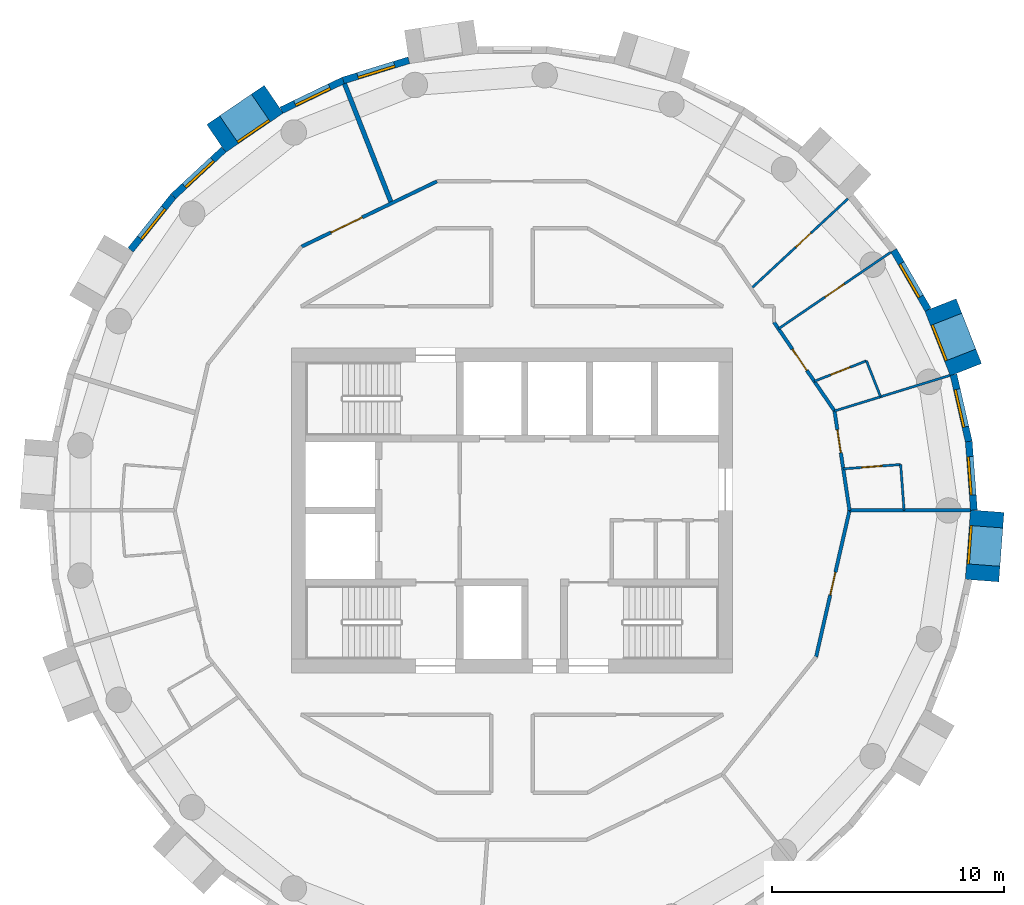
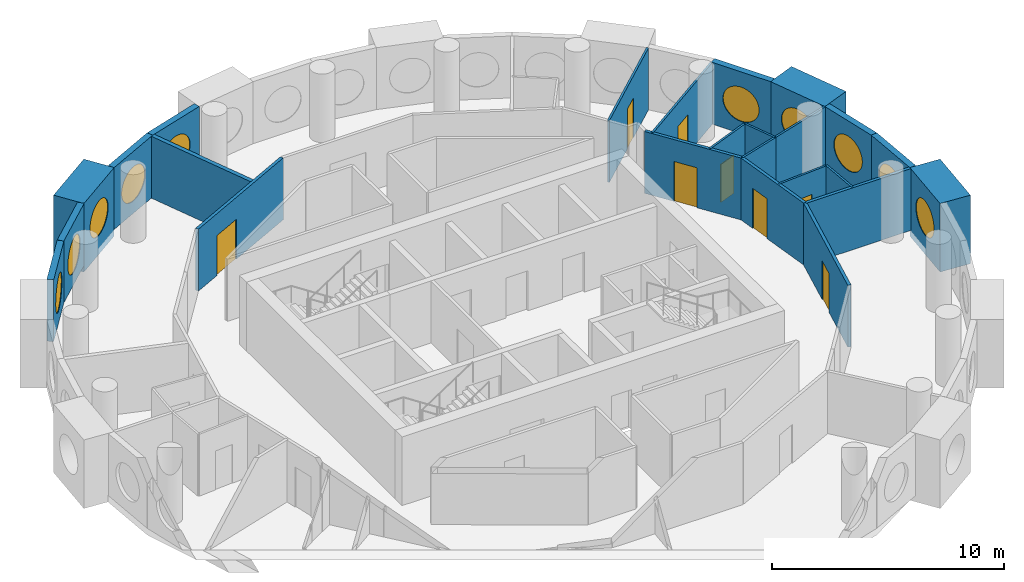
# One storey, part 8 of 11: 24 walls, 10 windows, 8 doors, 18 openings.
"""IFC4 building model written with IfcOpenShell, lengths in metres."""

from ifc_helpers import new_model, si_unit, direction, frame, frame_2d, origin, origin_2d, place, context, subcontext, project, spatial, rectangle, circle, extrude, material, layer, layer_set, type_object, element, fill, save


model = new_model("IFC4")

# Units and contexts
model_context = context("Model", 3, precision=1e-05, world=origin(), true_north=direction((0.0, 1.0)))
body_context = subcontext(model_context, "Body", "Model", "MODEL_VIEW")
ifc_project = project(units=[si_unit("LENGTHUNIT", "METRE"), si_unit("AREAUNIT", "SQUARE_METRE"), si_unit("VOLUMEUNIT", "CUBIC_METRE"), si_unit("PLANEANGLEUNIT", "RADIAN"), si_unit("MASSUNIT", "GRAM", prefix="KILO")], contexts=[model_context])

# Site, building, storey
site_placement = place(None, origin())
site = spatial("IfcSite", under=ifc_project, at=site_placement, CompositionType="ELEMENT")
building_placement = place(site_placement, origin())
building = spatial("IfcBuilding", under=site, at=building_placement, Name="Tracery Tower", CompositionType="ELEMENT")
storey_placement = place(building_placement, frame((0.0, 0.0, 238.199951171875)))
storey = spatial("IfcBuildingStorey", under=building, at=storey_placement, Name="L61", CompositionType="ELEMENT", Elevation=238.199951171875)

# Wall, opening, window
ifc_material_1 = material(Name="Precast concrete C50/60", Category="concrete")
ifc_layer_1 = layer(ifc_material_1, 1.449951171875)
ifc_layer_set_1 = layer_set([ifc_layer_1], Name="Deep-set bay unit 3000 x 3600, slab edge 350")
wall_type_1 = type_object("IfcWallType", Name="Deep-set bay unit 3000 x 3600, slab edge 350", PredefinedType="ELEMENTEDWALL", material=ifc_layer_set_1)
wall_1_placement = place(storey_placement, frame((19.576171875, 6.071533203125, -0.349853515625), z_axis=(0.0, 0.0, 1.0), x_axis=(-0.36537792632, 0.93085926485, 0.0)))
wall_1 = element("IfcWall", 1, at=wall_1_placement, inside=storey, type_object=wall_type_1, Name="Deep-set bay unit 3 at L61", PredefinedType="ELEMENTEDWALL", context=body_context, shape_type="SweptSolid", body=[
    extrude(rectangle(XDim=3.000244140625, YDim=1.449951171875, at=frame_2d((1.5, 0.0))), origin(), (0.0, 0.0, 1.0), 3.599853515625),
])
opening_1_placement = place(wall_1_placement, frame((1.5, 0.0, 1.89990234375)))
opening_1 = element("IfcOpeningElement", 2, at=opening_1_placement, cuts=wall_1, Name="Opening WN1", PredefinedType="OPENING", context=body_context, shape_type="SweptSolid", body=[
    extrude(circle(Radius=0.9000244140625, at=origin_2d()), frame((0.0, 0.73486328125, 0.0), z_axis=(0.0, -1.0, 0.0), x_axis=(1.0, 0.0, 0.0)), (0.0, 0.0, 1.0), 1.469970703125),
])
ifc_material_2 = material(Name="Aluminium frame with tinted double glazing", Category="aluminium")
window_type = type_object("IfcWindowType", Name="Round window 1800", PartitioningType="SINGLE_PANEL", PredefinedType="WINDOW", material=ifc_material_2)
window_1_placement = place(opening_1_placement, origin())
window_1 = element("IfcWindow", 3, at=window_1_placement, inside=storey, type_object=window_type, Name="Round window 3 at L61", OverallHeight=1.800048828125, OverallWidth=1.800048828125, PartitioningType="SINGLE_PANEL", PredefinedType="WINDOW", context=body_context, shape_type="SweptSolid", body=[
    extrude(circle(Radius=0.9000244140625, at=origin_2d()), frame((0.0, 0.69482421875, 0.0), z_axis=(0.0, -1.0, 0.0), x_axis=(1.0, 0.0, 0.0)), (0.0, 0.0, 1.0), 0.10009765625),
])
fill(opening_1, window_1)

wall_2_placement = place(storey_placement, frame((-10.275390625, 17.734130859375, -0.349853515625), z_axis=(0.0, 0.0, 1.0), x_axis=(-0.826246281157, -0.563309047392, 0.0)))
wall_2 = element("IfcWall", 4, at=wall_2_placement, inside=storey, type_object=wall_type_1, Name="Deep-set bay unit 15 at L61", PredefinedType="ELEMENTEDWALL", context=body_context, shape_type="SweptSolid", body=[
    extrude(rectangle(XDim=3.0, YDim=1.449951171875, at=frame_2d((1.5, 0.0))), origin(), (0.0, 0.0, 1.0), 3.599853515625),
])
opening_2_placement = place(wall_2_placement, frame((1.5, 0.0, 1.89990234375)))
opening_2 = element("IfcOpeningElement", 5, at=opening_2_placement, cuts=wall_2, Name="Opening WN1", PredefinedType="OPENING", context=body_context, shape_type="SweptSolid", body=[
    extrude(circle(Radius=0.9000244140625, at=origin_2d()), frame((0.0, 0.73486328125, 0.0), z_axis=(0.0, -1.0, 0.0), x_axis=(1.0, 0.0, 0.0)), (0.0, 0.0, 1.0), 1.469970703125),
])
window_2_placement = place(opening_2_placement, origin())
window_2 = element("IfcWindow", 6, at=window_2_placement, inside=storey, type_object=window_type, Name="Round window 15 at L61", OverallHeight=1.800048828125, OverallWidth=1.800048828125, PartitioningType="SINGLE_PANEL", PredefinedType="WINDOW", context=body_context, shape_type="SweptSolid", body=[
    extrude(circle(Radius=0.9000244140625, at=origin_2d()), frame((0.0, 0.69482421875, 0.0), z_axis=(0.0, -1.0, 0.0), x_axis=(1.0, 0.0, 0.0)), (0.0, 0.0, 1.0), 0.10009765625),
])
fill(opening_2, window_2)

wall_3_placement = place(storey_placement, frame((20.271728515625, -3.0234375, -0.349853515625), z_axis=(0.0, 0.0, 1.0), x_axis=(0.074785902127, 0.997199613339, 0.0)))
wall_3 = element("IfcWall", 7, at=wall_3_placement, inside=storey, type_object=wall_type_1, Name="Deep-set bay unit 42 at L61", PredefinedType="ELEMENTEDWALL", context=body_context, shape_type="SweptSolid", body=[
    extrude(rectangle(XDim=3.0, YDim=1.449951171875, at=frame_2d((1.5, 0.0))), origin(), (0.0, 0.0, 1.0), 3.599853515625),
])
opening_3_placement = place(wall_3_placement, frame((1.5, 0.0, 1.89990234375)))
opening_3 = element("IfcOpeningElement", 8, at=opening_3_placement, cuts=wall_3, Name="Opening WN1", PredefinedType="OPENING", context=body_context, shape_type="SweptSolid", body=[
    extrude(circle(Radius=0.9000244140625, at=origin_2d()), frame((0.0, 0.73486328125, 0.0), z_axis=(0.0, -1.0, 0.0), x_axis=(1.0, 0.0, 0.0)), (0.0, 0.0, 1.0), 1.469970703125),
])
window_3_placement = place(opening_3_placement, origin())
window_3 = element("IfcWindow", 9, at=window_3_placement, inside=storey, type_object=window_type, Name="Round window 42 at L61", OverallHeight=1.800048828125, OverallWidth=1.800048828125, PartitioningType="SINGLE_PANEL", PredefinedType="WINDOW", context=body_context, shape_type="SweptSolid", body=[
    extrude(circle(Radius=0.9000244140625, at=origin_2d()), frame((0.0, 0.69482421875, 0.0), z_axis=(0.0, -1.0, 0.0), x_axis=(1.0, 0.0, 0.0)), (0.0, 0.0, 1.0), 0.10009765625),
])
fill(opening_3, window_3)

ifc_material_3 = material(Name="Precast concrete C50/60", Category="concrete")
ifc_layer_2 = layer(ifc_material_3, 0.300048828125)
ifc_layer_set_2 = layer_set([ifc_layer_2], Name="Facade panel 3000 x 3250")
wall_type_2 = type_object("IfcWallType", Name="Facade panel 3000 x 3250", PredefinedType="SOLIDWALL", material=ifc_layer_set_2)
wall_4_placement = place(storey_placement, frame((19.920654296875, 0.01513671875, 0.0), z_axis=(0.0, 0.0, 1.0), x_axis=(-0.07474897196, 0.997202382263, 0.0)))
wall_4 = element("IfcWall", 10, at=wall_4_placement, inside=storey, type_object=wall_type_2, Name="Facade panel 1 at L61", PredefinedType="SOLIDWALL", context=body_context, shape_type="SweptSolid", body=[
    extrude(rectangle(XDim=2.96240234375, YDim=0.300048828125, at=frame_2d((1.481201171875, 0.0))), origin(), (0.0, 0.0, 1.0), 3.25),
])
opening_4_placement = place(wall_4_placement, frame((1.48095703125, 0.0, 1.5498046875)))
opening_4 = element("IfcOpeningElement", 11, at=opening_4_placement, cuts=wall_4, Name="Opening WN1", PredefinedType="OPENING", context=body_context, shape_type="SweptSolid", body=[
    extrude(circle(Radius=0.9000244140625, at=origin_2d()), frame((0.0, 0.159912109375, 0.0), z_axis=(0.0, -1.0, 0.0), x_axis=(1.0, 0.0, 0.0)), (0.0, 0.0, 1.0), 0.320068359375),
])
window_4_placement = place(opening_4_placement, origin())
window_4 = element("IfcWindow", 12, at=window_4_placement, inside=storey, type_object=window_type, Name="Round window 1 at L61", OverallHeight=1.800048828125, OverallWidth=1.800048828125, PartitioningType="SINGLE_PANEL", PredefinedType="WINDOW", context=body_context, shape_type="SweptSolid", body=[
    extrude(circle(Radius=0.9000244140625, at=origin_2d()), frame((0.0, 0.1201171875, 0.0), z_axis=(0.0, -1.0, 0.0), x_axis=(1.0, 0.0, 0.0)), (0.0, 0.0, 1.0), 0.10009765625),
])
fill(opening_4, window_4)

wall_5_placement = place(storey_placement, frame((19.69921875, 2.96923828125, 0.0), z_axis=(0.0, 0.0, 1.0), x_axis=(-0.222529389789, 0.974925982155, 0.0)))
wall_5 = element("IfcWall", 13, at=wall_5_placement, inside=storey, type_object=wall_type_2, Name="Facade panel 2 at L61", PredefinedType="SOLIDWALL", context=body_context, shape_type="SweptSolid", body=[
    extrude(rectangle(XDim=2.962158203125, YDim=0.300048828125, at=frame_2d((1.48095703125, 0.0))), origin(), (0.0, 0.0, 1.0), 3.25),
])
opening_5_placement = place(wall_5_placement, frame((1.48095703125, 0.0, 1.5498046875)))
opening_5 = element("IfcOpeningElement", 14, at=opening_5_placement, cuts=wall_5, Name="Opening WN1", PredefinedType="OPENING", context=body_context, shape_type="SweptSolid", body=[
    extrude(circle(Radius=0.9000244140625, at=origin_2d()), frame((0.0, 0.159912109375, 0.0), z_axis=(0.0, -1.0, 0.0), x_axis=(1.0, 0.0, 0.0)), (0.0, 0.0, 1.0), 0.320068359375),
])
window_5_placement = place(opening_5_placement, origin())
window_5 = element("IfcWindow", 15, at=window_5_placement, inside=storey, type_object=window_type, Name="Round window 2 at L61", OverallHeight=1.800048828125, OverallWidth=1.800048828125, PartitioningType="SINGLE_PANEL", PredefinedType="WINDOW", context=body_context, shape_type="SweptSolid", body=[
    extrude(circle(Radius=0.9000244140625, at=origin_2d()), frame((0.0, 0.1201171875, 0.0), z_axis=(0.0, -1.0, 0.0), x_axis=(1.0, 0.0, 0.0)), (0.0, 0.0, 1.0), 0.10009765625),
])
fill(opening_5, window_5)

wall_6_placement = place(storey_placement, frame((17.941162109375, 8.656982421875, 0.0), z_axis=(0.0, 0.0, 1.0), x_axis=(-0.499950756475, 0.86605383268, 0.0)))
wall_6 = element("IfcWall", 16, at=wall_6_placement, inside=storey, type_object=wall_type_2, Name="Facade panel 4 at L61", PredefinedType="SOLIDWALL", context=body_context, shape_type="SweptSolid", body=[
    extrude(rectangle(XDim=2.962158203125, YDim=0.300048828125, at=frame_2d((1.48095703125, 0.0))), origin(), (0.0, 0.0, 1.0), 3.25),
])
opening_6_placement = place(wall_6_placement, frame((1.48095703125, 0.0, 1.5498046875)))
opening_6 = element("IfcOpeningElement", 17, at=opening_6_placement, cuts=wall_6, Name="Opening WN1", PredefinedType="OPENING", context=body_context, shape_type="SweptSolid", body=[
    extrude(circle(Radius=0.9000244140625, at=origin_2d()), frame((0.0, 0.159912109375, 0.0), z_axis=(0.0, -1.0, 0.0), x_axis=(1.0, 0.0, 0.0)), (0.0, 0.0, 1.0), 0.320068359375),
])
window_6_placement = place(opening_6_placement, origin())
window_6 = element("IfcWindow", 18, at=window_6_placement, inside=storey, type_object=window_type, Name="Round window 4 at L61", OverallHeight=1.800048828125, OverallWidth=1.800048828125, PartitioningType="SINGLE_PANEL", PredefinedType="WINDOW", context=body_context, shape_type="SweptSolid", body=[
    extrude(circle(Radius=0.9000244140625, at=origin_2d()), frame((0.0, 0.1201171875, 0.0), z_axis=(0.0, -1.0, 0.0), x_axis=(1.0, 0.0, 0.0)), (0.0, 0.0, 1.0), 0.10009765625),
])
fill(opening_6, window_6)

wall_7_placement = place(storey_placement, frame((-4.447509765625, 19.417724609375, 0.0), z_axis=(0.0, 0.0, 1.0), x_axis=(-0.95558635705, -0.294711238707, 0.0)))
wall_7 = element("IfcWall", 19, at=wall_7_placement, inside=storey, type_object=wall_type_2, Name="Facade panel 13 at L61", PredefinedType="SOLIDWALL", context=body_context, shape_type="SweptSolid", body=[
    extrude(rectangle(XDim=2.96240234375, YDim=0.300048828125, at=frame_2d((1.481201171875, 0.0))), origin(), (0.0, 0.0, 1.0), 3.25),
])
opening_7_placement = place(wall_7_placement, frame((1.48095703125, 0.0, 1.5498046875)))
opening_7 = element("IfcOpeningElement", 20, at=opening_7_placement, cuts=wall_7, Name="Opening WN1", PredefinedType="OPENING", context=body_context, shape_type="SweptSolid", body=[
    extrude(circle(Radius=0.9000244140625, at=origin_2d()), frame((0.0, 0.159912109375, 0.0), z_axis=(0.0, -1.0, 0.0), x_axis=(1.0, 0.0, 0.0)), (0.0, 0.0, 1.0), 0.320068359375),
])
window_7_placement = place(opening_7_placement, origin())
window_7 = element("IfcWindow", 21, at=window_7_placement, inside=storey, type_object=window_type, Name="Round window 13 at L61", OverallHeight=1.800048828125, OverallWidth=1.800048828125, PartitioningType="SINGLE_PANEL", PredefinedType="WINDOW", context=body_context, shape_type="SweptSolid", body=[
    extrude(circle(Radius=0.9000244140625, at=origin_2d()), frame((0.0, 0.1201171875, 0.0), z_axis=(0.0, -1.0, 0.0), x_axis=(1.0, 0.0, 0.0)), (0.0, 0.0, 1.0), 0.10009765625),
])
fill(opening_7, window_7)

wall_8_placement = place(storey_placement, frame((-7.2783203125, 18.544677734375, 0.0), z_axis=(0.0, 0.0, 1.0), x_axis=(-0.900939615635, -0.433944476838, 0.0)))
wall_8 = element("IfcWall", 22, at=wall_8_placement, inside=storey, type_object=wall_type_2, Name="Facade panel 14 at L61", PredefinedType="SOLIDWALL", context=body_context, shape_type="SweptSolid", body=[
    extrude(rectangle(XDim=2.962158203125, YDim=0.300048828125, at=frame_2d((1.48095703125, 0.0))), origin(), (0.0, 0.0, 1.0), 3.25),
])
opening_8_placement = place(wall_8_placement, frame((1.48095703125, 0.0, 1.5498046875)))
opening_8 = element("IfcOpeningElement", 23, at=opening_8_placement, cuts=wall_8, Name="Opening WN1", PredefinedType="OPENING", context=body_context, shape_type="SweptSolid", body=[
    extrude(circle(Radius=0.9000244140625, at=origin_2d()), frame((0.0, 0.159912109375, 0.0), z_axis=(0.0, -1.0, 0.0), x_axis=(1.0, 0.0, 0.0)), (0.0, 0.0, 1.0), 0.320068359375),
])
window_8_placement = place(opening_8_placement, origin())
window_8 = element("IfcWindow", 24, at=window_8_placement, inside=storey, type_object=window_type, Name="Round window 14 at L61", OverallHeight=1.800048828125, OverallWidth=1.800048828125, PartitioningType="SINGLE_PANEL", PredefinedType="WINDOW", context=body_context, shape_type="SweptSolid", body=[
    extrude(circle(Radius=0.9000244140625, at=origin_2d()), frame((0.0, 0.1201171875, 0.0), z_axis=(0.0, -1.0, 0.0), x_axis=(1.0, 0.0, 0.0)), (0.0, 0.0, 1.0), 0.10009765625),
])
fill(opening_8, window_8)

wall_9_placement = place(storey_placement, frame((-12.43212890625, 15.565185546875, 0.0), z_axis=(0.0, 0.0, 1.0), x_axis=(-0.733066412643, -0.680157066165, 0.0)))
wall_9 = element("IfcWall", 25, at=wall_9_placement, inside=storey, type_object=wall_type_2, Name="Facade panel 16 at L61", PredefinedType="SOLIDWALL", context=body_context, shape_type="SweptSolid", body=[
    extrude(rectangle(XDim=2.96240234375, YDim=0.300048828125, at=frame_2d((1.481201171875, 0.0))), origin(), (0.0, 0.0, 1.0), 3.25),
])
opening_9_placement = place(wall_9_placement, frame((1.48095703125, 0.0, 1.5498046875)))
opening_9 = element("IfcOpeningElement", 26, at=opening_9_placement, cuts=wall_9, Name="Opening WN1", PredefinedType="OPENING", context=body_context, shape_type="SweptSolid", body=[
    extrude(circle(Radius=0.9000244140625, at=origin_2d()), frame((0.0, 0.159912109375, 0.0), z_axis=(0.0, -1.0, 0.0), x_axis=(1.0, 0.0, 0.0)), (0.0, 0.0, 1.0), 0.320068359375),
])
window_9_placement = place(opening_9_placement, origin())
window_9 = element("IfcWindow", 27, at=window_9_placement, inside=storey, type_object=window_type, Name="Round window 16 at L61", OverallHeight=1.800048828125, OverallWidth=1.800048828125, PartitioningType="SINGLE_PANEL", PredefinedType="WINDOW", context=body_context, shape_type="SweptSolid", body=[
    extrude(circle(Radius=0.9000244140625, at=origin_2d()), frame((0.0, 0.1201171875, 0.0), z_axis=(0.0, -1.0, 0.0), x_axis=(1.0, 0.0, 0.0)), (0.0, 0.0, 1.0), 0.10009765625),
])
fill(opening_9, window_9)

wall_10_placement = place(storey_placement, frame((-14.603759765625, 13.55029296875, 0.0), z_axis=(0.0, 0.0, 1.0), x_axis=(-0.623498236992, -0.781824755599, 0.0)))
wall_10 = element("IfcWall", 28, at=wall_10_placement, inside=storey, type_object=wall_type_2, Name="Facade panel 17 at L61", PredefinedType="SOLIDWALL", context=body_context, shape_type="SweptSolid", body=[
    extrude(rectangle(XDim=2.962158203125, YDim=0.300048828125, at=frame_2d((1.48095703125, 0.0))), origin(), (0.0, 0.0, 1.0), 3.25),
])
opening_10_placement = place(wall_10_placement, frame((1.48095703125, 0.0, 1.5498046875)))
opening_10 = element("IfcOpeningElement", 29, at=opening_10_placement, cuts=wall_10, Name="Opening WN1", PredefinedType="OPENING", context=body_context, shape_type="SweptSolid", body=[
    extrude(circle(Radius=0.9000244140625, at=origin_2d()), frame((0.0, 0.159912109375, 0.0), z_axis=(0.0, -1.0, 0.0), x_axis=(1.0, 0.0, 0.0)), (0.0, 0.0, 1.0), 0.320068359375),
])
window_10_placement = place(opening_10_placement, origin())
window_10 = element("IfcWindow", 30, at=window_10_placement, inside=storey, type_object=window_type, Name="Round window 17 at L61", OverallHeight=1.800048828125, OverallWidth=1.800048828125, PartitioningType="SINGLE_PANEL", PredefinedType="WINDOW", context=body_context, shape_type="SweptSolid", body=[
    extrude(circle(Radius=0.9000244140625, at=origin_2d()), frame((0.0, 0.1201171875, 0.0), z_axis=(0.0, -1.0, 0.0), x_axis=(1.0, 0.0, 0.0)), (0.0, 0.0, 1.0), 0.10009765625),
])
fill(opening_10, window_10)

# Wall, opening, door
ifc_material_4 = material(Name="Plasterboard on steel studs", Category="steel")
ifc_layer_3 = layer(ifc_material_4, 0.10009765625)
ifc_layer_set_3 = layer_set([ifc_layer_3], Name="Partition 100 stud")
wall_type_3 = type_object("IfcWallType", Name="Partition 100 stud", PredefinedType="PARTITIONING", material=ifc_layer_set_3)
wall_11_placement = place(storey_placement, frame((11.492919921875, 7.8359375, 0.0), z_axis=(0.0, 0.0, 1.0), x_axis=(0.826231748746, 0.563330362544, 0.0)))
wall_11 = element("IfcWall", 31, at=wall_11_placement, inside=storey, type_object=wall_type_3, Name="Stud partition RC1-046", PredefinedType="PARTITIONING", context=body_context, shape_type="SweptSolid", body=[
    extrude(rectangle(XDim=5.861572265625, YDim=0.10009765625, at=frame_2d((2.9306640625, 0.0))), origin(), (0.0, 0.0, 1.0), 3.25),
])
opening_11_placement = place(wall_11_placement, frame((2.430908203125, 0.0, 0.0)))
opening_11 = element("IfcOpeningElement", 32, at=opening_11_placement, cuts=wall_11, Name="Opening RC1-06", PredefinedType="OPENING", context=body_context, shape_type="SweptSolid", body=[
    extrude(rectangle(XDim=1.0, YDim=2.0400390625, at=frame_2d((0.5, 1.02001953125))), frame((0.0, 0.050048828125, 0.0), z_axis=(0.0, -1.0, 0.0), x_axis=(1.0, 0.0, 0.0)), (0.0, 0.0, 1.0), 0.10009765625),
])
ifc_material_5 = material(Name="Timber door leaf", Category="wood")
door_type_1 = type_object("IfcDoorType", Name="Door communal room 1000", OperationType="NOTDEFINED", PredefinedType="DOOR", material=ifc_material_5)
door_1_placement = place(opening_11_placement, origin())
door_1 = element("IfcDoor", 33, at=door_1_placement, inside=storey, type_object=door_type_1, Name="Communal room door RC1-06", OperationType="SINGLE_SWING_RIGHT", OverallHeight=2.0400390625, OverallWidth=1.0, PredefinedType="DOOR", context=body_context, shape_type="SweptSolid", body=[
    extrude(rectangle(XDim=1.0, YDim=2.0400390625, at=frame_2d((0.5, 1.02001953125))), frame((0.0, 0.02490234375, 0.0), z_axis=(0.0, -1.0, 0.0), x_axis=(1.0, 0.0, 0.0)), (0.0, 0.0, 1.0), 0.050048828125),
])
fill(opening_11, door_1)

# Wall
wall_12_placement = place(storey_placement, frame((15.89599609375, 4.904052734375, 0.0), z_axis=(0.0, 0.0, 1.0), x_axis=(0.955630770746, 0.294567190983, 0.0)))
element("IfcWall", 34, at=wall_12_placement, inside=storey, type_object=wall_type_3, Name="Stud partition RC1-049", PredefinedType="PARTITIONING", context=body_context, shape_type="SweptSolid", body=[
    extrude(rectangle(XDim=3.13623046875, YDim=0.10009765625, at=frame_2d((1.568115234375, 0.0))), origin(), (0.0, 0.0, 1.0), 3.25),
])

# Wall, opening, door
wall_13_placement = place(storey_placement, frame((10.31201171875, 9.568115234375, 0.0), z_axis=(0.0, 0.0, 1.0), x_axis=(0.733002312561, 0.680226146057, 0.0)))
wall_13 = element("IfcWall", 35, at=wall_13_placement, inside=storey, type_object=wall_type_3, Name="Stud partition RC1-050", PredefinedType="PARTITIONING", context=body_context, shape_type="SweptSolid", body=[
    extrude(rectangle(XDim=5.703857421875, YDim=0.10009765625, at=frame_2d((2.85205078125, 0.0))), origin(), (0.0, 0.0, 1.0), 3.25),
])
opening_12_placement = place(wall_13_placement, frame((2.6220703125, 0.0, 0.0)))
opening_12 = element("IfcOpeningElement", 36, at=opening_12_placement, cuts=wall_13, Name="Opening RC1-10", PredefinedType="OPENING", context=body_context, shape_type="SweptSolid", body=[
    extrude(rectangle(XDim=0.89990234375, YDim=2.10009765625, at=frame_2d((0.449951171875, 1.050048828125))), frame((0.0, 0.050048828125, 0.0), z_axis=(0.0, -1.0, 0.0), x_axis=(1.0, 0.0, 0.0)), (0.0, 0.0, 1.0), 0.10009765625),
])
ifc_material_6 = material(Name="Timber door leaf", Category="wood")
door_type_2 = type_object("IfcDoorType", Name="Door bedroom 900", OperationType="NOTDEFINED", PredefinedType="DOOR", material=ifc_material_6)
door_2_placement = place(opening_12_placement, origin())
door_2 = element("IfcDoor", 37, at=door_2_placement, inside=storey, type_object=door_type_2, Name="Bedroom door RC1-10", OperationType="SINGLE_SWING_RIGHT", OverallHeight=2.10009765625, OverallWidth=0.89990234375, PredefinedType="DOOR", context=body_context, shape_type="SweptSolid", body=[
    extrude(rectangle(XDim=0.89990234375, YDim=2.10009765625, at=frame_2d((0.449951171875, 1.050048828125))), frame((0.0, 0.02490234375, 0.0), z_axis=(0.0, -1.0, 0.0), x_axis=(1.0, 0.0, 0.0)), (0.0, 0.0, 1.0), 0.050048828125),
])
fill(opening_12, door_2)

# Wall
ifc_material_7 = material(Name="Plasterboard on steel studs", Category="steel")
ifc_layer_4 = layer(ifc_material_7, 0.10009765625)
ifc_layer_set_4 = layer_set([ifc_layer_4], Name="Partition 100 wet wall")
wall_type_4 = type_object("IfcWallType", Name="Partition 100 wet wall", PredefinedType="PARTITIONING", material=ifc_layer_set_4)
wall_14_placement = place(storey_placement, frame((15.287109375, 6.4541015625, 0.0), z_axis=(0.0, 0.0, 1.0), x_axis=(0.365620622357, -0.930763966056, 0.0)))
element("IfcWall", 38, at=wall_14_placement, inside=storey, type_object=wall_type_4, Name="Wet wall RC1-047", PredefinedType="PARTITIONING", context=body_context, shape_type="SweptSolid", body=[
    extrude(rectangle(XDim=1.665283203125, YDim=0.10009765625, at=frame_2d((0.83251953125, 0.0))), origin(), (0.0, 0.0, 1.0), 3.25),
])

# Wall, opening, door
wall_15_placement = place(storey_placement, frame((13.037109375, 5.571044921875, 0.0), z_axis=(0.0, 0.0, 1.0), x_axis=(0.930874211086, 0.365339846083, 0.0)))
wall_15 = element("IfcWall", 39, at=wall_15_placement, inside=storey, type_object=wall_type_4, Name="Wet wall RC1-048", PredefinedType="PARTITIONING", context=body_context, shape_type="SweptSolid", body=[
    extrude(rectangle(XDim=2.4169921875, YDim=0.10009765625, at=frame_2d((1.20849609375, 0.0))), origin(), (0.0, 0.0, 1.0), 3.25),
])
opening_13_placement = place(wall_15_placement, frame((0.758056640625, 0.0, 0.0)))
opening_13 = element("IfcOpeningElement", 40, at=opening_13_placement, cuts=wall_15, Name="Opening RC1-07", PredefinedType="OPENING", context=body_context, shape_type="SweptSolid", body=[
    extrude(rectangle(XDim=0.89990234375, YDim=2.0, at=frame_2d((0.449951171875, 1.0))), frame((0.0, 0.050048828125, 0.0), z_axis=(0.0, -1.0, 0.0), x_axis=(1.0, 0.0, 0.0)), (0.0, 0.0, 1.0), 0.10009765625),
])
ifc_material_8 = material(Name="Timber door leaf", Category="wood")
door_type_3 = type_object("IfcDoorType", Name="Door shower room 900", OperationType="NOTDEFINED", PredefinedType="DOOR", material=ifc_material_8)
door_3_placement = place(opening_13_placement, origin())
door_3 = element("IfcDoor", 41, at=door_3_placement, inside=storey, type_object=door_type_3, Name="Shower room door RC1-07", OperationType="SINGLE_SWING_RIGHT", OverallHeight=2.0, OverallWidth=0.89990234375, PredefinedType="DOOR", context=body_context, shape_type="SweptSolid", body=[
    extrude(rectangle(XDim=0.89990234375, YDim=2.0, at=frame_2d((0.449951171875, 1.0))), frame((0.0, 0.02490234375, 0.0), z_axis=(0.0, -1.0, 0.0), x_axis=(1.0, 0.0, 0.0)), (0.0, 0.0, 1.0), 0.050048828125),
])
fill(opening_13, door_3)

# Walls
wall_16_placement = place(storey_placement, frame((13.909912109375, 4.291015625, 0.0), z_axis=(0.0, 0.0, 1.0), x_axis=(0.955649377322, 0.294506821014, 0.0)))
element("IfcWall", 42, at=wall_16_placement, inside=storey, type_object=wall_type_4, Name="Wet wall RC1-051", PredefinedType="PARTITIONING", context=body_context, shape_type="SweptSolid", body=[
    extrude(rectangle(XDim=2.078369140625, YDim=0.10009765625, at=frame_2d((1.0390625, 0.0))), origin(), (0.0, 0.0, 1.0), 3.25),
])
wall_17_placement = place(storey_placement, frame((16.761962890625, 1.98095703125, 0.0), z_axis=(0.0, 0.0, 1.0), x_axis=(0.074478298815, -0.997222634624, 0.0)))
element("IfcWall", 43, at=wall_17_placement, inside=storey, type_object=wall_type_4, Name="Wet wall RC1-052", PredefinedType="PARTITIONING", context=body_context, shape_type="SweptSolid", body=[
    extrude(rectangle(XDim=1.986572265625, YDim=0.10009765625, at=frame_2d((0.9931640625, 0.0))), origin(), (0.0, 0.0, 1.0), 3.25),
])

# Wall, opening, door
wall_18_placement = place(storey_placement, frame((14.285888671875, 1.794921875, 0.0), z_axis=(0.0, 0.0, 1.0), x_axis=(0.997189401658, 0.074921940846, 0.0)))
wall_18 = element("IfcWall", 44, at=wall_18_placement, inside=storey, type_object=wall_type_4, Name="Wet wall RC1-053", PredefinedType="PARTITIONING", context=body_context, shape_type="SweptSolid", body=[
    extrude(rectangle(XDim=2.483154296875, YDim=0.10009765625, at=frame_2d((1.24169921875, 0.0))), origin(), (0.0, 0.0, 1.0), 3.25),
])
opening_14_placement = place(wall_18_placement, frame((0.7919921875, 0.0, 0.0)))
opening_14 = element("IfcOpeningElement", 45, at=opening_14_placement, cuts=wall_18, Name="Opening RC1-09", PredefinedType="OPENING", context=body_context, shape_type="SweptSolid", body=[
    extrude(rectangle(XDim=0.89990234375, YDim=2.0400390625, at=frame_2d((0.449951171875, 1.02001953125))), frame((0.0, 0.050048828125, 0.0), z_axis=(0.0, -1.0, 0.0), x_axis=(1.0, 0.0, 0.0)), (0.0, 0.0, 1.0), 0.10009765625),
])
ifc_material_9 = material(Name="Timber door leaf", Category="wood")
door_type_4 = type_object("IfcDoorType", Name="Door en-suite 900", OperationType="NOTDEFINED", PredefinedType="DOOR", material=ifc_material_9)
door_4_placement = place(opening_14_placement, origin())
door_4 = element("IfcDoor", 46, at=door_4_placement, inside=storey, type_object=door_type_4, Name="En-suite door RC1-09", OperationType="SINGLE_SWING_LEFT", OverallHeight=2.0400390625, OverallWidth=0.89990234375, PredefinedType="DOOR", context=body_context, shape_type="SweptSolid", body=[
    extrude(rectangle(XDim=0.89990234375, YDim=2.0400390625, at=frame_2d((0.449951171875, 1.02001953125))), frame((0.0, 0.02490234375, 0.0), z_axis=(0.0, -1.0, 0.0), x_axis=(1.0, 0.0, 0.0)), (0.0, 0.0, 1.0), 0.050048828125),
])
fill(opening_14, door_4)

# Wall
ifc_material_10 = material(Name="Plasterboard on steel studs", Category="steel")
ifc_layer_5 = layer(ifc_material_10, 0.14990234375)
ifc_layer_set_5 = layer_set([ifc_layer_5], Name="Partition 150 acoustic unit wall")
wall_type_5 = type_object("IfcWallType", Name="Partition 150 acoustic unit wall", PredefinedType="PARTITIONING", material=ifc_layer_set_5)
wall_19_placement = place(storey_placement, frame((14.556884765625, 0.0, 0.0), z_axis=(0.0, 0.0, 1.0), x_axis=(1.0, 0.0, 0.0)))
element("IfcWall", 47, at=wall_19_placement, inside=storey, type_object=wall_type_5, Name="Unit wall RC1-054", PredefinedType="PARTITIONING", context=body_context, shape_type="SweptSolid", body=[
    extrude(rectangle(XDim=5.214111328125, YDim=0.14990234375, at=frame_2d((2.60693359375, 0.0))), origin(), (0.0, 0.0, 1.0), 3.25),
])

# Wall, opening, door
ifc_material_11 = material(Name="Plasterboard on steel studs", Category="steel")
ifc_layer_6 = layer(ifc_material_11, 0.14990234375)
ifc_layer_set_6 = layer_set([ifc_layer_6], Name="Partition 150 corridor wall")
wall_type_6 = type_object("IfcWallType", Name="Partition 150 corridor wall", PredefinedType="PARTITIONING", material=ifc_layer_set_6)
wall_20_placement = place(storey_placement, frame((11.300048828125, 8.118896484375, 0.0), z_axis=(0.0, 0.0, 1.0), x_axis=(0.56348561488, -0.82612587529, 0.0)))
wall_20 = element("IfcWall", 48, at=wall_20_placement, inside=storey, type_object=wall_type_6, Name="Corridor wall RC1-021", PredefinedType="PARTITIONING", context=body_context, shape_type="SweptSolid", body=[
    extrude(rectangle(XDim=4.633056640625, YDim=0.14990234375, at=frame_2d((2.31640625, 0.0))), origin(), (0.0, 0.0, 1.0), 3.25),
])
opening_15_placement = place(wall_20_placement, frame((1.412841796875, 0.0, 0.0)))
opening_15 = element("IfcOpeningElement", 49, at=opening_15_placement, cuts=wall_20, Name="Opening RC1-05", PredefinedType="OPENING", context=body_context, shape_type="SweptSolid", body=[
    extrude(rectangle(XDim=1.10009765625, YDim=2.10009765625, at=frame_2d((0.550048828125, 1.050048828125))), frame((0.0, 0.074951171875, 0.0), z_axis=(0.0, -1.0, 0.0), x_axis=(1.0, 0.0, 0.0)), (0.0, 0.0, 1.0), 0.14990234375),
])
ifc_material_12 = material(Name="Timber door leaf", Category="wood")
door_type_5 = type_object("IfcDoorType", Name="Door cluster entrance 1100", OperationType="NOTDEFINED", PredefinedType="DOOR", material=ifc_material_12)
door_5_placement = place(opening_15_placement, origin())
door_5 = element("IfcDoor", 50, at=door_5_placement, inside=storey, type_object=door_type_5, Name="Cluster entrance door RC1-05", OperationType="SINGLE_SWING_RIGHT", OverallHeight=2.10009765625, OverallWidth=1.10009765625, PredefinedType="DOOR", context=body_context, shape_type="SweptSolid", body=[
    extrude(rectangle(XDim=1.10009765625, YDim=2.10009765625, at=frame_2d((0.550048828125, 1.050048828125))), frame((0.0, 0.02490234375, 0.0), z_axis=(0.0, -1.0, 0.0), x_axis=(1.0, 0.0, 0.0)), (0.0, 0.0, 1.0), 0.050048828125),
])
fill(opening_15, door_5)

wall_21_placement = place(storey_placement, frame((13.909912109375, 4.291015625, 0.0), z_axis=(0.0, 0.0, 1.0), x_axis=(0.149143716951, -0.988815529659, 0.0)))
wall_21 = element("IfcWall", 51, at=wall_21_placement, inside=storey, type_object=wall_type_6, Name="Corridor wall RC1-022", PredefinedType="PARTITIONING", context=body_context, shape_type="SweptSolid", body=[
    extrude(rectangle(XDim=4.339599609375, YDim=0.14990234375, at=frame_2d((2.169921875, 0.0))), origin(), (0.0, 0.0, 1.0), 3.25),
])
opening_16_placement = place(wall_21_placement, frame((0.821044921875, 0.0, 0.0)))
opening_16 = element("IfcOpeningElement", 52, at=opening_16_placement, cuts=wall_21, Name="Opening RC1-08", PredefinedType="OPENING", context=body_context, shape_type="SweptSolid", body=[
    extrude(rectangle(XDim=1.0, YDim=2.10009765625, at=frame_2d((0.5, 1.050048828125))), frame((0.0, 0.074951171875, 0.0), z_axis=(0.0, -1.0, 0.0), x_axis=(1.0, 0.0, 0.0)), (0.0, 0.0, 1.0), 0.14990234375),
])
ifc_material_13 = material(Name="Timber door leaf", Category="wood")
door_type_6 = type_object("IfcDoorType", Name="Door unit entrance 1000", OperationType="NOTDEFINED", PredefinedType="DOOR", material=ifc_material_13)
door_6_placement = place(opening_16_placement, origin())
door_6 = element("IfcDoor", 53, at=door_6_placement, inside=storey, type_object=door_type_6, Name="Unit entrance door RC1-08", OperationType="SINGLE_SWING_RIGHT", OverallHeight=2.10009765625, OverallWidth=1.0, PredefinedType="DOOR", context=body_context, shape_type="SweptSolid", body=[
    extrude(rectangle(XDim=1.0, YDim=2.10009765625, at=frame_2d((0.5, 1.050048828125))), frame((0.0, 0.02490234375, 0.0), z_axis=(0.0, -1.0, 0.0), x_axis=(1.0, 0.0, 0.0)), (0.0, 0.0, 1.0), 0.050048828125),
])
fill(opening_16, door_6)

wall_22_placement = place(storey_placement, frame((13.114990234375, -6.31591796875, 0.0), z_axis=(0.0, 0.0, 1.0), x_axis=(0.222568978642, 0.97491694505, 0.0)))
wall_22 = element("IfcWall", 54, at=wall_22_placement, inside=storey, type_object=wall_type_6, Name="Corridor wall RC1-023", PredefinedType="PARTITIONING", context=body_context, shape_type="SweptSolid", body=[
    extrude(rectangle(XDim=6.478515625, YDim=0.14990234375, at=frame_2d((3.2392578125, 0.0))), origin(), (0.0, 0.0, 1.0), 3.25),
])
opening_17_placement = place(wall_22_placement, frame((2.739501953125, 0.0, 0.0)))
opening_17 = element("IfcOpeningElement", 55, at=opening_17_placement, cuts=wall_22, Name="Opening RC1-22", PredefinedType="OPENING", context=body_context, shape_type="SweptSolid", body=[
    extrude(rectangle(XDim=1.0, YDim=2.0400390625, at=frame_2d((0.5, 1.02001953125))), frame((0.0, 0.074951171875, 0.0), z_axis=(0.0, -1.0, 0.0), x_axis=(1.0, 0.0, 0.0)), (0.0, 0.0, 1.0), 0.14990234375),
])
door_7_placement = place(opening_17_placement, origin())
door_7 = element("IfcDoor", 56, at=door_7_placement, inside=storey, type_object=door_type_1, Name="Communal room door RC1-22", OperationType="SINGLE_SWING_LEFT", OverallHeight=2.0400390625, OverallWidth=1.0, PredefinedType="DOOR", context=body_context, shape_type="SweptSolid", body=[
    extrude(rectangle(XDim=1.0, YDim=2.0400390625, at=frame_2d((0.5, 1.02001953125))), frame((0.0, 0.02490234375, 0.0), z_axis=(0.0, -1.0, 0.0), x_axis=(1.0, 0.0, 0.0)), (0.0, 0.0, 1.0), 0.050048828125),
])
fill(opening_17, door_7)

wall_23_placement = place(storey_placement, frame((-9.0751953125, 11.37939453125, 0.0), z_axis=(0.0, 0.0, 1.0), x_axis=(0.900851590682, 0.434127183629, 0.0)))
wall_23 = element("IfcWall", 57, at=wall_23_placement, inside=storey, type_object=wall_type_6, Name="Corridor wall RC1-031", PredefinedType="PARTITIONING", context=body_context, shape_type="SweptSolid", body=[
    extrude(rectangle(XDim=6.478515625, YDim=0.14990234375, at=frame_2d((3.2392578125, 0.0))), origin(), (0.0, 0.0, 1.0), 3.25),
])
opening_18_placement = place(wall_23_placement, frame((1.404052734375, 0.0, 0.0)))
opening_18 = element("IfcOpeningElement", 58, at=opening_18_placement, cuts=wall_23, Name="Opening RC1-13", PredefinedType="OPENING", context=body_context, shape_type="SweptSolid", body=[
    extrude(rectangle(XDim=1.5, YDim=2.10009765625, at=frame_2d((0.75, 1.050048828125))), frame((0.0, 0.074951171875, 0.0), z_axis=(0.0, -1.0, 0.0), x_axis=(1.0, 0.0, 0.0)), (0.0, 0.0, 1.0), 0.14990234375),
])
ifc_material_14 = material(Name="Timber door leaf", Category="wood")
door_type_7 = type_object("IfcDoorType", Name="Door double kitchen 1500", OperationType="NOTDEFINED", PredefinedType="DOOR", material=ifc_material_14)
door_8_placement = place(opening_18_placement, origin())
door_8 = element("IfcDoor", 59, at=door_8_placement, inside=storey, type_object=door_type_7, Name="Double kitchen door RC1-13", OperationType="DOUBLE_DOOR_SINGLE_SWING", OverallHeight=2.10009765625, OverallWidth=1.5, PredefinedType="DOOR", context=body_context, shape_type="SweptSolid", body=[
    extrude(rectangle(XDim=1.5, YDim=2.10009765625, at=frame_2d((0.75, 1.050048828125))), frame((0.0, 0.02490234375, 0.0), z_axis=(0.0, -1.0, 0.0), x_axis=(1.0, 0.0, 0.0)), (0.0, 0.0, 1.0), 0.050048828125),
])
fill(opening_18, door_8)

# Wall
ifc_material_15 = material(Name="Plasterboard on steel studs", Category="steel")
ifc_layer_7 = layer(ifc_material_15, 0.199951171875)
ifc_layer_set_7 = layer_set([ifc_layer_7], Name="Partition 200 compartment wall")
wall_type_7 = type_object("IfcWallType", Name="Partition 200 compartment wall", PredefinedType="PARTITIONING", material=ifc_layer_set_7)
wall_24_placement = place(storey_placement, frame((-7.222900390625, 18.405029296875, 0.0), z_axis=(0.0, 0.0, 1.0), x_axis=(0.365334662456, -0.930876245485, 0.0)))
element("IfcWall", 60, at=wall_24_placement, inside=storey, type_object=wall_type_7, Name="Compartment wall RC1-058", PredefinedType="PARTITIONING", context=body_context, shape_type="SweptSolid", body=[
    extrude(rectangle(XDim=5.5400390625, YDim=0.199951171875, at=frame_2d((2.77001953125, 0.0))), origin(), (0.0, 0.0, 1.0), 3.25),
])

save(model, "model.ifc")
